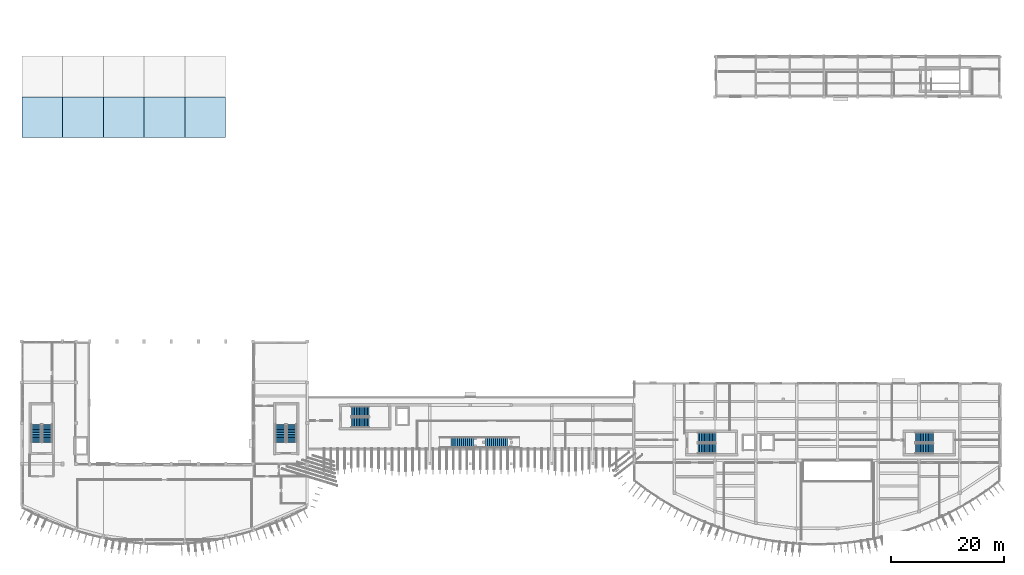
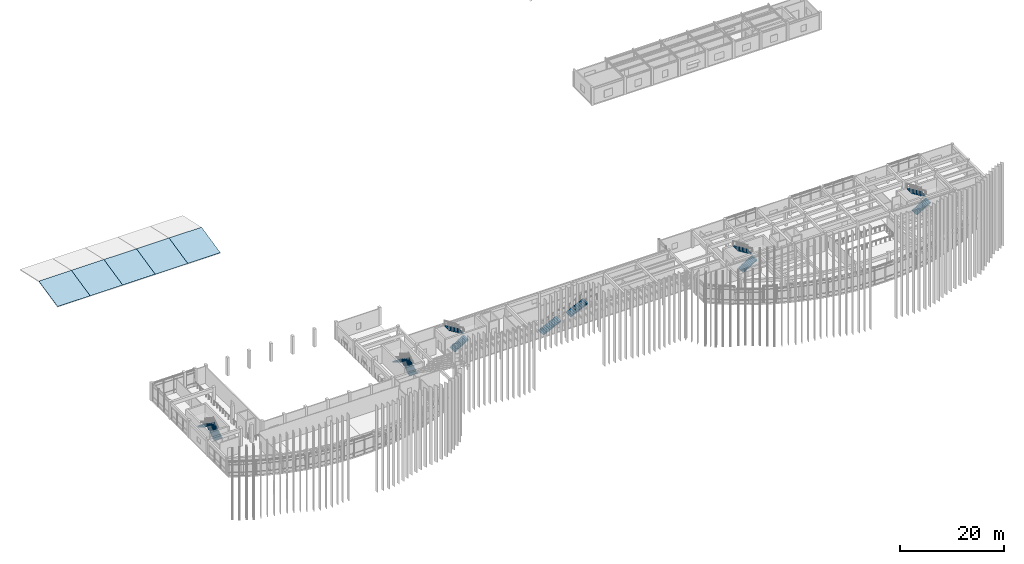
# One storey, part 35 of 47: 12 stair flights, 5 roofs, 6 elements without a shape of their own.
"""IFC4 building model written with IfcOpenShell, lengths in metres."""

import ifcopenshell
import ifcopenshell.guid

model = None  # the IFC model being written
_history = None  # IfcOwnerHistory: only IFC2X3 demands one
_inside = {}  # id of a spatial element -> (the spatial element, [elements in it])
_under = {}  # id of a project, library or spatial element -> (it, [spatial elements below it])
_declared = {}  # id of a project -> (the project, [libraries it declares])
_typed = {}  # id of a type object -> (the type object, [elements of that type])
_made_of = {}  # id of a material, layer set ... -> (it, [elements and type objects made of it])


def new_model(schema):
    """Start an empty IFC model of exactly this schema.

    Asked for "IFC4X3", IfcOpenShell would pick the latest addendum, in which some entities
    have other attributes; the version numbers below select the first issue.
    IFC2X3 requires an IfcOwnerHistory on every rooted entity: one is made here for all.
    """
    global model, _history
    if schema == "IFC4X3":
        model = ifcopenshell.file(schema_version=(4, 3, 0, 0))
    else:
        model = ifcopenshell.file(schema=schema)
    _inside.clear()
    _under.clear()
    _declared.clear()
    _typed.clear()
    _made_of.clear()
    _history = None
    if model.schema == "IFC2X3":
        org = make("IfcOrganization", Name="unknown")
        user = make(
            "IfcPersonAndOrganization",
            ThePerson=make("IfcPerson", FamilyName="unknown"),
            TheOrganization=org,
        )
        app = make(
            "IfcApplication",
            ApplicationDeveloper=org,
            Version="unknown",
            ApplicationFullName="unknown",
            ApplicationIdentifier="unknown",
        )
        _history = make(
            "IfcOwnerHistory",
            OwningUser=user,
            OwningApplication=app,
            ChangeAction="ADDED",
            CreationDate=0,
        )
    return model


def make(cls, **values):
    """One entity of the class cls with the attributes given. An attribute that is None is left unset."""
    return model.create_entity(
        cls, **{name: value for name, value in values.items() if value is not None}
    )


def rooted(cls, **values):
    """An entity with a GlobalId (a new one), such as an element, a storey or a relation."""
    return make(cls, GlobalId=ifcopenshell.guid.new(), OwnerHistory=_history, **values)


def si_unit(unit_type, name, prefix=None):
    """IfcSIUnit, for example si_unit("LENGTHUNIT", "METRE", prefix="MILLI")."""
    return make("IfcSIUnit", UnitType=unit_type, Prefix=prefix, Name=name)


def assignment(units):
    """IfcUnitAssignment: the units of a project."""
    return None if units is None else make("IfcUnitAssignment", Units=units)


def point(xyz):
    """IfcCartesianPoint."""
    return None if xyz is None else make("IfcCartesianPoint", Coordinates=xyz)


def direction(xyz):
    """IfcDirection."""
    return None if xyz is None else make("IfcDirection", DirectionRatios=xyz)


def frame(location, z_axis=None, x_axis=None):
    """IfcAxis2Placement3D, a coordinate frame: its origin and axes. An axis left out is left unset."""
    return make(
        "IfcAxis2Placement3D",
        Location=point(location),
        Axis=direction(z_axis),
        RefDirection=direction(x_axis),
    )


def origin():
    """The frame at (0, 0, 0) with its axes left unset."""
    return frame((0.0, 0.0, 0.0))


def place(relative_to, where):
    """IfcLocalPlacement: puts the frame where relative to a parent placement (None: the world)."""
    return make(
        "IfcLocalPlacement", PlacementRelTo=relative_to, RelativePlacement=where
    )


def context(
    kind, dimensions, precision=None, world=None, true_north=None, identifier=None
):
    """IfcGeometricRepresentationContext, for example the 3D "Model" context."""
    return make(
        "IfcGeometricRepresentationContext",
        ContextIdentifier=identifier,
        ContextType=kind,
        CoordinateSpaceDimension=dimensions,
        Precision=precision,
        WorldCoordinateSystem=world,
        TrueNorth=true_north,
    )


def subcontext(parent, identifier, kind, view, scale=None):
    """IfcGeometricRepresentationSubContext, for example "Body" below "Model"."""
    return make(
        "IfcGeometricRepresentationSubContext",
        ContextIdentifier=identifier,
        ContextType=kind,
        ParentContext=parent,
        TargetScale=scale,
        TargetView=view,
    )


def project(units=None, contexts=None):
    """IfcProject with its units and contexts."""
    return rooted(
        "IfcProject",
        Name="project",
        RepresentationContexts=contexts,
        UnitsInContext=assignment(units),
    )


def spatial(cls, under=None, at=None, **own):
    """A site, building, storey or space (cls), placed at a placement, below another one or the project."""
    s = rooted(cls, ObjectPlacement=at, **own)
    if under is not None:
        _under.setdefault(under.id(), (under, []))[1].append(s)
    return s


def polyline(points):
    """IfcPolyline through the points."""
    return make("IfcPolyline", Points=[point(p) for p in points])


def outline(outer, holes=None, kind="AREA"):
    """IfcArbitraryClosedProfileDef: a profile drawn as a closed curve; with holes, ...WithVoids."""
    if holes is None:
        return make("IfcArbitraryClosedProfileDef", ProfileType=kind, OuterCurve=outer)
    return make(
        "IfcArbitraryProfileDefWithVoids",
        ProfileType=kind,
        OuterCurve=outer,
        InnerCurves=holes,
    )


def extrude(swept, where, along, depth):
    """IfcExtrudedAreaSolid: the profile swept, set in the frame where, extruded along a direction by depth."""
    return make(
        "IfcExtrudedAreaSolid",
        SweptArea=swept,
        Position=where,
        ExtrudedDirection=direction(along),
        Depth=depth,
    )


def shape(context_of_items, identifier, shape_type, items):
    """IfcShapeRepresentation: the items that make up one representation, for example the "Body"."""
    return make(
        "IfcShapeRepresentation",
        ContextOfItems=context_of_items,
        RepresentationIdentifier=identifier,
        RepresentationType=shape_type,
        Items=items,
    )


def material(Name=None, Category=None):
    """IfcMaterial."""
    return make("IfcMaterial", Name=Name, Category=Category)


def layer(
    of_material, thickness, ventilated=None, Name=None, Category=None, Priority=None
):
    """IfcMaterialLayer: one layer of a wall or slab, of a material (None: an air gap)."""
    return make(
        "IfcMaterialLayer",
        Material=of_material,
        LayerThickness=thickness,
        IsVentilated=ventilated,
        Name=Name,
        Category=Category,
        Priority=Priority,
    )


def layer_set(layers, Name=None):
    """IfcMaterialLayerSet."""
    return make("IfcMaterialLayerSet", MaterialLayers=layers, LayerSetName=Name)


def made_of(thing, what):
    """Note that an element or type object is made of a material, layer set ...; save() writes the relation."""
    if what is not None:
        _made_of.setdefault(what.id(), (what, []))[1].append(thing)
    return thing


def type_object(cls, material=None, **own):
    """A type object (cls), such as IfcWallType, which elements share."""
    return made_of(rooted(cls, **own), material)


def element(
    cls,
    number,
    at=None,
    inside=None,
    cuts=None,
    type_object=None,
    material=None,
    context=None,
    identifier="Body",
    shape_type=None,
    held_by="IfcProductDefinitionShape",
    body=None,
    shapes=None,
    **own,
):
    """One element of the class cls, such as IfcWall. Its Tag is "e" and its number.

    at: its placement. inside: the storey or other place that contains it. cuts: it is an
    opening in that element (IfcRelVoidsElement). A single representation is given by context,
    identifier, shape_type and body (its items); several are given by shapes. held_by: the class
    of the entity that holds the representations. save() writes the other relations.
    """
    e = rooted(cls, Tag="e%d" % number, ObjectPlacement=at, **own)
    if body is not None:
        shapes = [shape(context, identifier, shape_type, body)]
    if shapes is not None:
        e.Representation = make(held_by, Representations=shapes)
    if inside is not None:
        _inside.setdefault(inside.id(), (inside, []))[1].append(e)
    if cuts is not None:
        rooted(
            "IfcRelVoidsElement", RelatingBuildingElement=cuts, RelatedOpeningElement=e
        )
    if type_object is not None:
        _typed.setdefault(type_object.id(), (type_object, []))[1].append(e)
    return made_of(e, material)


def aggregate(whole, parts):
    """IfcRelAggregates: a whole, such as a stair, and the parts it consists of."""
    return rooted("IfcRelAggregates", RelatingObject=whole, RelatedObjects=parts)


def save(model, path):
    """Write the relations noted so far, then the file.

    IfcRelAggregates (storeys below a building ...), IfcRelContainedInSpatialStructure (elements
    in a storey), IfcRelDefinesByType, IfcRelAssociatesMaterial and IfcRelDeclares: one each for
    every whole, place, type object, material and project.
    """
    for whole, parts in _under.values():
        aggregate(whole, parts)
    for where, things in _inside.values():
        rooted(
            "IfcRelContainedInSpatialStructure",
            RelatedElements=things,
            RelatingStructure=where,
        )
    for kind, things in _typed.values():
        rooted("IfcRelDefinesByType", RelatedObjects=things, RelatingType=kind)
    for what, things in _made_of.values():
        rooted("IfcRelAssociatesMaterial", RelatedObjects=things, RelatingMaterial=what)
    for by, libraries in _declared.values():
        rooted("IfcRelDeclares", RelatingContext=by, RelatedDefinitions=libraries)
    model.write(path)


model = new_model("IFC4")

# Units and contexts
model_context = context("Model", 3, precision=1e-05, world=origin(), true_north=direction((0.0, 1.0)))
body_context = subcontext(model_context, "Body", "Model", "MODEL_VIEW")
ifc_project = project(units=[si_unit("LENGTHUNIT", "METRE"), si_unit("AREAUNIT", "SQUARE_METRE"), si_unit("VOLUMEUNIT", "CUBIC_METRE"), si_unit("PLANEANGLEUNIT", "RADIAN"), si_unit("MASSUNIT", "GRAM", prefix="KILO")], contexts=[model_context])

# Site, building, storey
site_placement = place(None, origin())
site = spatial("IfcSite", under=ifc_project, at=site_placement, CompositionType="ELEMENT")
building_placement = place(site_placement, origin())
building = spatial("IfcBuilding", under=site, at=building_placement, Name="Brisavento Harbour Community Centre", CompositionType="ELEMENT")
storey_placement = place(building_placement, frame((0.0, 0.0, 8.699951171875)))
storey = spatial("IfcBuildingStorey", under=building, at=storey_placement, Name="L02", CompositionType="ELEMENT", Elevation=8.699951171875)

# Stair, stair flights
ifc_material_1 = material(Name="Concrete C35/45", Category="concrete")
stair_type_1 = type_object("IfcStairType", Name="STR-DL-4200", PredefinedType="HALF_TURN_STAIR", material=ifc_material_1)
stair_1_placement = place(storey_placement, origin())
stair_1 = element("IfcStair", 1, at=stair_1_placement, inside=storey, type_object=stair_type_1, Name="L02 ST-01", PredefinedType="HALF_TURN_STAIR")
stair_flight_type_1 = type_object("IfcStairFlightType", Name="FLT-DL-4200", PredefinedType="STRAIGHT", material=ifc_material_1)
stair_flight_1_placement = place(storey_placement, frame((4.5, 18.199951171875, 0.0), z_axis=(0.0, 0.0, 1.0), x_axis=(0.0, 1.0, 0.0)))
stair_flight_1 = element("IfcStairFlight", 2, at=stair_flight_1_placement, type_object=stair_flight_type_1, Name="ST-01 flight 1", NumberOfRisers=12, NumberOfTreads=11, PredefinedType="STRAIGHT", RiserHeight=0.175, TreadLength=0.285, context=body_context, shape_type="SweptSolid", body=[
    extrude(outline(polyline([(0.0, 0.0), (0.0, 0.175048828125), (0.284912109375, 0.175048828125), (0.284912109375, 0.35009765625), (0.570068359375, 0.35009765625), (0.570068359375, 0.52490234375), (0.85498046875, 0.52490234375), (0.85498046875, 0.699951171875), (1.139892578125, 0.699951171875), (1.139892578125, 0.875), (1.425048828125, 0.875), (1.425048828125, 1.050048828125), (1.7099609375, 1.050048828125), (1.7099609375, 1.22509765625), (1.9951171875, 1.22509765625), (1.9951171875, 1.39990234375), (2.280029296875, 1.39990234375), (2.280029296875, 1.574951171875), (2.56494140625, 1.574951171875), (2.56494140625, 1.75), (2.85009765625, 1.75), (2.85009765625, 1.925048828125), (3.135009765625, 1.925048828125), (3.135009765625, 2.10009765625), (3.135009765625, 1.7490234375), (0.286376953125, 0.0), (0.0, 0.0)])), frame((0.0, 0.89990234375, 0.0), z_axis=(0.0, -1.0, 0.0), x_axis=(1.0, 0.0, 0.0)), (0.0, 0.0, 1.0), 1.800048828125),
])
stair_flight_2_placement = place(storey_placement, frame((2.550048828125, 21.3349609375, 2.10009765625), z_axis=(0.0, 0.0, 1.0), x_axis=(0.0, -1.0, 0.0)))
stair_flight_2 = element("IfcStairFlight", 3, at=stair_flight_2_placement, type_object=stair_flight_type_1, Name="ST-01 flight 2", NumberOfRisers=12, NumberOfTreads=11, PredefinedType="STRAIGHT", RiserHeight=0.175, TreadLength=0.285, context=body_context, shape_type="SweptSolid", body=[
    extrude(outline(polyline([(0.0, 0.0), (0.0, 0.175048828125), (0.284912109375, 0.175048828125), (0.284912109375, 0.35009765625), (0.570068359375, 0.35009765625), (0.570068359375, 0.52490234375), (0.85498046875, 0.52490234375), (0.85498046875, 0.699951171875), (1.139892578125, 0.699951171875), (1.139892578125, 0.875), (1.425048828125, 0.875), (1.425048828125, 1.050048828125), (1.7099609375, 1.050048828125), (1.7099609375, 1.22509765625), (1.9951171875, 1.22509765625), (1.9951171875, 1.39990234375), (2.280029296875, 1.39990234375), (2.280029296875, 1.574951171875), (2.56494140625, 1.574951171875), (2.56494140625, 1.75), (2.85009765625, 1.75), (2.85009765625, 1.925048828125), (3.135009765625, 1.925048828125), (3.135009765625, 2.10009765625), (3.135009765625, 1.7490234375), (0.286376953125, 0.0), (0.0, 0.0)])), frame((0.0, 0.89990234375, 0.0), z_axis=(0.0, -1.0, 0.0), x_axis=(1.0, 0.0, 0.0)), (0.0, 0.0, 1.0), 1.800048828125),
])
aggregate(stair_1, [stair_flight_1, stair_flight_2])

stair_2_placement = place(storey_placement, origin())
stair_2 = element("IfcStair", 4, at=stair_2_placement, inside=storey, type_object=stair_type_1, Name="L02 ST-02", PredefinedType="HALF_TURN_STAIR")
stair_flight_3_placement = place(storey_placement, frame((47.64990234375, 18.199951171875, 0.0), z_axis=(0.0, 0.0, 1.0), x_axis=(0.0, 1.0, 0.0)))
stair_flight_3 = element("IfcStairFlight", 5, at=stair_flight_3_placement, type_object=stair_flight_type_1, Name="ST-02 flight 1", NumberOfRisers=12, NumberOfTreads=11, PredefinedType="STRAIGHT", RiserHeight=0.175, TreadLength=0.285, context=body_context, shape_type="SweptSolid", body=[
    extrude(outline(polyline([(0.0, 0.0), (0.0, 0.175048828125), (0.284912109375, 0.175048828125), (0.284912109375, 0.35009765625), (0.570068359375, 0.35009765625), (0.570068359375, 0.52490234375), (0.85498046875, 0.52490234375), (0.85498046875, 0.699951171875), (1.139892578125, 0.699951171875), (1.139892578125, 0.875), (1.425048828125, 0.875), (1.425048828125, 1.050048828125), (1.7099609375, 1.050048828125), (1.7099609375, 1.22509765625), (1.9951171875, 1.22509765625), (1.9951171875, 1.39990234375), (2.280029296875, 1.39990234375), (2.280029296875, 1.574951171875), (2.56494140625, 1.574951171875), (2.56494140625, 1.75), (2.85009765625, 1.75), (2.85009765625, 1.925048828125), (3.135009765625, 1.925048828125), (3.135009765625, 2.10009765625), (3.135009765625, 1.7490234375), (0.286376953125, 0.0), (0.0, 0.0)])), frame((0.0, 0.89990234375, 0.0), z_axis=(0.0, -1.0, 0.0), x_axis=(1.0, 0.0, 0.0)), (0.0, 0.0, 1.0), 1.800048828125),
])
stair_flight_4_placement = place(storey_placement, frame((45.699951171875, 21.3349609375, 2.10009765625), z_axis=(0.0, 0.0, 1.0), x_axis=(0.0, -1.0, 0.0)))
stair_flight_4 = element("IfcStairFlight", 6, at=stair_flight_4_placement, type_object=stair_flight_type_1, Name="ST-02 flight 2", NumberOfRisers=12, NumberOfTreads=11, PredefinedType="STRAIGHT", RiserHeight=0.175, TreadLength=0.285, context=body_context, shape_type="SweptSolid", body=[
    extrude(outline(polyline([(0.0, 0.0), (0.0, 0.175048828125), (0.284912109375, 0.175048828125), (0.284912109375, 0.35009765625), (0.570068359375, 0.35009765625), (0.570068359375, 0.52490234375), (0.85498046875, 0.52490234375), (0.85498046875, 0.699951171875), (1.139892578125, 0.699951171875), (1.139892578125, 0.875), (1.425048828125, 0.875), (1.425048828125, 1.050048828125), (1.7099609375, 1.050048828125), (1.7099609375, 1.22509765625), (1.9951171875, 1.22509765625), (1.9951171875, 1.39990234375), (2.280029296875, 1.39990234375), (2.280029296875, 1.574951171875), (2.56494140625, 1.574951171875), (2.56494140625, 1.75), (2.85009765625, 1.75), (2.85009765625, 1.925048828125), (3.135009765625, 1.925048828125), (3.135009765625, 2.10009765625), (3.135009765625, 1.7490234375), (0.286376953125, 0.0), (0.0, 0.0)])), frame((0.0, 0.89990234375, 0.0), z_axis=(0.0, -1.0, 0.0), x_axis=(1.0, 0.0, 0.0)), (0.0, 0.0, 1.0), 1.800048828125),
])
aggregate(stair_2, [stair_flight_3, stair_flight_4])

stair_3_placement = place(storey_placement, origin())
stair_3 = element("IfcStair", 7, at=stair_3_placement, inside=storey, type_object=stair_type_1, Name="L02 ST-03", PredefinedType="HALF_TURN_STAIR")
stair_flight_5_placement = place(storey_placement, frame((58.199951171875, 21.699951171875, 0.0), z_axis=(0.0, 0.0, 1.0), x_axis=(1.0, 0.0, 0.0)))
stair_flight_5 = element("IfcStairFlight", 8, at=stair_flight_5_placement, type_object=stair_flight_type_1, Name="ST-03 flight 1", NumberOfRisers=12, NumberOfTreads=11, PredefinedType="STRAIGHT", RiserHeight=0.175, TreadLength=0.285, context=body_context, shape_type="SweptSolid", body=[
    extrude(outline(polyline([(0.0, 0.0), (0.0, 0.175048828125), (0.284912109375, 0.175048828125), (0.284912109375, 0.35009765625), (0.570068359375, 0.35009765625), (0.570068359375, 0.52490234375), (0.85498046875, 0.52490234375), (0.85498046875, 0.699951171875), (1.139892578125, 0.699951171875), (1.139892578125, 0.875), (1.425048828125, 0.875), (1.425048828125, 1.050048828125), (1.7099609375, 1.050048828125), (1.7099609375, 1.22509765625), (1.9951171875, 1.22509765625), (1.9951171875, 1.39990234375), (2.280029296875, 1.39990234375), (2.280029296875, 1.574951171875), (2.56494140625, 1.574951171875), (2.56494140625, 1.75), (2.85009765625, 1.75), (2.85009765625, 1.925048828125), (3.135009765625, 1.925048828125), (3.135009765625, 2.10009765625), (3.135009765625, 1.7490234375), (0.286376953125, 0.0), (0.0, 0.0)])), frame((0.0, 0.89990234375, 0.0), z_axis=(0.0, -1.0, 0.0), x_axis=(1.0, 0.0, 0.0)), (0.0, 0.0, 1.0), 1.800048828125),
])
stair_flight_6_placement = place(storey_placement, frame((61.3349609375, 23.64990234375, 2.10009765625), z_axis=(0.0, 0.0, 1.0), x_axis=(-1.0, 0.0, 0.0)))
stair_flight_6 = element("IfcStairFlight", 9, at=stair_flight_6_placement, type_object=stair_flight_type_1, Name="ST-03 flight 2", NumberOfRisers=12, NumberOfTreads=11, PredefinedType="STRAIGHT", RiserHeight=0.175, TreadLength=0.285, context=body_context, shape_type="SweptSolid", body=[
    extrude(outline(polyline([(0.0, 0.0), (0.0, 0.175048828125), (0.284912109375, 0.175048828125), (0.284912109375, 0.35009765625), (0.570068359375, 0.35009765625), (0.570068359375, 0.52490234375), (0.85498046875, 0.52490234375), (0.85498046875, 0.699951171875), (1.139892578125, 0.699951171875), (1.139892578125, 0.875), (1.425048828125, 0.875), (1.425048828125, 1.050048828125), (1.7099609375, 1.050048828125), (1.7099609375, 1.22509765625), (1.9951171875, 1.22509765625), (1.9951171875, 1.39990234375), (2.280029296875, 1.39990234375), (2.280029296875, 1.574951171875), (2.56494140625, 1.574951171875), (2.56494140625, 1.75), (2.85009765625, 1.75), (2.85009765625, 1.925048828125), (3.135009765625, 1.925048828125), (3.135009765625, 2.10009765625), (3.135009765625, 1.7490234375), (0.286376953125, 0.0), (0.0, 0.0)])), frame((0.0, 0.89990234375, 0.0), z_axis=(0.0, -1.0, 0.0), x_axis=(1.0, 0.0, 0.0)), (0.0, 0.0, 1.0), 1.800048828125),
])
aggregate(stair_3, [stair_flight_5, stair_flight_6])

stair_4_placement = place(storey_placement, origin())
stair_4 = element("IfcStair", 10, at=stair_4_placement, inside=storey, type_object=stair_type_1, Name="L02 ST-04", PredefinedType="HALF_TURN_STAIR")
stair_flight_7_placement = place(storey_placement, frame((119.39990234375, 17.10009765625, 0.0), z_axis=(0.0, 0.0, 1.0), x_axis=(1.0, 0.0, 0.0)))
stair_flight_7 = element("IfcStairFlight", 11, at=stair_flight_7_placement, type_object=stair_flight_type_1, Name="ST-04 flight 1", NumberOfRisers=12, NumberOfTreads=11, PredefinedType="STRAIGHT", RiserHeight=0.175, TreadLength=0.285, context=body_context, shape_type="SweptSolid", body=[
    extrude(outline(polyline([(0.0, 0.0), (0.0, 0.175048828125), (0.284912109375, 0.175048828125), (0.284912109375, 0.35009765625), (0.570068359375, 0.35009765625), (0.570068359375, 0.52490234375), (0.85498046875, 0.52490234375), (0.85498046875, 0.699951171875), (1.139892578125, 0.699951171875), (1.139892578125, 0.875), (1.425048828125, 0.875), (1.425048828125, 1.050048828125), (1.7099609375, 1.050048828125), (1.7099609375, 1.22509765625), (1.9951171875, 1.22509765625), (1.9951171875, 1.39990234375), (2.280029296875, 1.39990234375), (2.280029296875, 1.574951171875), (2.56494140625, 1.574951171875), (2.56494140625, 1.75), (2.85009765625, 1.75), (2.85009765625, 1.925048828125), (3.135009765625, 1.925048828125), (3.135009765625, 2.10009765625), (3.135009765625, 1.7490234375), (0.286376953125, 0.0), (0.0, 0.0)])), frame((0.0, 0.89990234375, 0.0), z_axis=(0.0, -1.0, 0.0), x_axis=(1.0, 0.0, 0.0)), (0.0, 0.0, 1.0), 1.800048828125),
])
stair_flight_8_placement = place(storey_placement, frame((122.534912109375, 19.050048828125, 2.10009765625), z_axis=(0.0, 0.0, 1.0), x_axis=(-1.0, 0.0, 0.0)))
stair_flight_8 = element("IfcStairFlight", 12, at=stair_flight_8_placement, type_object=stair_flight_type_1, Name="ST-04 flight 2", NumberOfRisers=12, NumberOfTreads=11, PredefinedType="STRAIGHT", RiserHeight=0.175, TreadLength=0.285, context=body_context, shape_type="SweptSolid", body=[
    extrude(outline(polyline([(0.0, 0.0), (0.0, 0.175048828125), (0.284912109375, 0.175048828125), (0.284912109375, 0.35009765625), (0.570068359375, 0.35009765625), (0.570068359375, 0.52490234375), (0.85498046875, 0.52490234375), (0.85498046875, 0.699951171875), (1.139892578125, 0.699951171875), (1.139892578125, 0.875), (1.425048828125, 0.875), (1.425048828125, 1.050048828125), (1.7099609375, 1.050048828125), (1.7099609375, 1.22509765625), (1.9951171875, 1.22509765625), (1.9951171875, 1.39990234375), (2.280029296875, 1.39990234375), (2.280029296875, 1.574951171875), (2.56494140625, 1.574951171875), (2.56494140625, 1.75), (2.85009765625, 1.75), (2.85009765625, 1.925048828125), (3.135009765625, 1.925048828125), (3.135009765625, 2.10009765625), (3.135009765625, 1.7490234375), (0.286376953125, 0.0), (0.0, 0.0)])), frame((0.0, 0.89990234375, 0.0), z_axis=(0.0, -1.0, 0.0), x_axis=(1.0, 0.0, 0.0)), (0.0, 0.0, 1.0), 1.800048828125),
])
aggregate(stair_4, [stair_flight_7, stair_flight_8])

stair_5_placement = place(storey_placement, origin())
stair_5 = element("IfcStair", 13, at=stair_5_placement, inside=storey, type_object=stair_type_1, Name="L02 ST-05", PredefinedType="HALF_TURN_STAIR")
stair_flight_9_placement = place(storey_placement, frame((157.800048828125, 17.10009765625, 0.0), z_axis=(0.0, 0.0, 1.0), x_axis=(1.0, 0.0, 0.0)))
stair_flight_9 = element("IfcStairFlight", 14, at=stair_flight_9_placement, type_object=stair_flight_type_1, Name="ST-05 flight 1", NumberOfRisers=12, NumberOfTreads=11, PredefinedType="STRAIGHT", RiserHeight=0.175, TreadLength=0.285, context=body_context, shape_type="SweptSolid", body=[
    extrude(outline(polyline([(0.0, 0.0), (0.0, 0.175048828125), (0.284912109375, 0.175048828125), (0.284912109375, 0.35009765625), (0.570068359375, 0.35009765625), (0.570068359375, 0.52490234375), (0.85498046875, 0.52490234375), (0.85498046875, 0.699951171875), (1.139892578125, 0.699951171875), (1.139892578125, 0.875), (1.425048828125, 0.875), (1.425048828125, 1.050048828125), (1.7099609375, 1.050048828125), (1.7099609375, 1.22509765625), (1.9951171875, 1.22509765625), (1.9951171875, 1.39990234375), (2.280029296875, 1.39990234375), (2.280029296875, 1.574951171875), (2.56494140625, 1.574951171875), (2.56494140625, 1.75), (2.85009765625, 1.75), (2.85009765625, 1.925048828125), (3.135009765625, 1.925048828125), (3.135009765625, 2.10009765625), (3.135009765625, 1.7490234375), (0.286376953125, 0.0), (0.0, 0.0)])), frame((0.0, 0.89990234375, 0.0), z_axis=(0.0, -1.0, 0.0), x_axis=(1.0, 0.0, 0.0)), (0.0, 0.0, 1.0), 1.800048828125),
])
stair_flight_10_placement = place(storey_placement, frame((160.93505859375, 19.050048828125, 2.10009765625), z_axis=(0.0, 0.0, 1.0), x_axis=(-1.0, 0.0, 0.0)))
stair_flight_10 = element("IfcStairFlight", 15, at=stair_flight_10_placement, type_object=stair_flight_type_1, Name="ST-05 flight 2", NumberOfRisers=12, NumberOfTreads=11, PredefinedType="STRAIGHT", RiserHeight=0.175, TreadLength=0.285, context=body_context, shape_type="SweptSolid", body=[
    extrude(outline(polyline([(0.0, 0.0), (0.0, 0.175048828125), (0.284912109375, 0.175048828125), (0.284912109375, 0.35009765625), (0.570068359375, 0.35009765625), (0.570068359375, 0.52490234375), (0.85498046875, 0.52490234375), (0.85498046875, 0.699951171875), (1.139892578125, 0.699951171875), (1.139892578125, 0.875), (1.425048828125, 0.875), (1.425048828125, 1.050048828125), (1.7099609375, 1.050048828125), (1.7099609375, 1.22509765625), (1.9951171875, 1.22509765625), (1.9951171875, 1.39990234375), (2.280029296875, 1.39990234375), (2.280029296875, 1.574951171875), (2.56494140625, 1.574951171875), (2.56494140625, 1.75), (2.85009765625, 1.75), (2.85009765625, 1.925048828125), (3.135009765625, 1.925048828125), (3.135009765625, 2.10009765625), (3.135009765625, 1.7490234375), (0.286376953125, 0.0), (0.0, 0.0)])), frame((0.0, 0.89990234375, 0.0), z_axis=(0.0, -1.0, 0.0), x_axis=(1.0, 0.0, 0.0)), (0.0, 0.0, 1.0), 1.800048828125),
])
aggregate(stair_5, [stair_flight_9, stair_flight_10])

ifc_material_2 = material(Name="Precast concrete C40/50", Category="concrete")
stair_type_2 = type_object("IfcStairType", Name="STR-MON-2", PredefinedType="STRAIGHT_RUN_STAIR", material=ifc_material_2)
stair_6_placement = place(storey_placement, origin())
stair_6 = element("IfcStair", 16, at=stair_6_placement, inside=storey, type_object=stair_type_2, Name="L02 monumental courtyard stair MST-08", PredefinedType="STRAIGHT_RUN_STAIR")
stair_flight_type_2 = type_object("IfcStairFlightType", Name="FLT-MON-2", PredefinedType="STRAIGHT", material=ifc_material_2)
stair_flight_11_placement = place(storey_placement, frame((75.800048828125, 18.199951171875, 0.0), z_axis=(0.0, 0.0, 1.0), x_axis=(1.0, 0.0, 0.0)))
stair_flight_11 = element("IfcStairFlight", 17, at=stair_flight_11_placement, type_object=stair_flight_type_2, Name="MST-08 flight 1", NumberOfRisers=12, NumberOfTreads=11, PredefinedType="STRAIGHT", RiserHeight=0.175, TreadLength=0.36, context=body_context, shape_type="SweptSolid", body=[
    extrude(outline(polyline([(0.0, 0.0), (0.0, 0.175048828125), (0.360107421875, 0.175048828125), (0.360107421875, 0.35009765625), (0.719970703125, 0.35009765625), (0.719970703125, 0.52490234375), (1.080078125, 0.52490234375), (1.080078125, 0.699951171875), (1.43994140625, 0.699951171875), (1.43994140625, 0.875), (1.800048828125, 0.875), (1.800048828125, 1.050048828125), (2.159912109375, 1.050048828125), (2.159912109375, 1.22509765625), (2.52001953125, 1.22509765625), (2.52001953125, 1.39990234375), (2.8798828125, 1.39990234375), (2.8798828125, 1.574951171875), (3.239990234375, 1.574951171875), (3.239990234375, 1.75), (3.60009765625, 1.75), (3.60009765625, 1.925048828125), (3.9599609375, 1.925048828125), (3.9599609375, 2.10009765625), (3.9599609375, 1.724853515625), (0.41162109375, 0.0), (0.0, 0.0)])), frame((0.0, 0.91015625, 0.0), z_axis=(0.0, -1.0, 0.0), x_axis=(1.0, 0.0, 0.0)), (0.0, 0.0, 1.0), 1.820068359375),
])
stair_flight_12_placement = place(storey_placement, frame((81.830078125, 18.199951171875, 2.10009765625), z_axis=(0.0, 0.0, 1.0), x_axis=(1.0, 0.0, 0.0)))
stair_flight_12 = element("IfcStairFlight", 18, at=stair_flight_12_placement, type_object=stair_flight_type_2, Name="MST-08 flight 2", NumberOfRisers=12, NumberOfTreads=11, PredefinedType="STRAIGHT", RiserHeight=0.175, TreadLength=0.36, context=body_context, shape_type="SweptSolid", body=[
    extrude(outline(polyline([(0.0, 0.0), (0.0, 0.175048828125), (0.360107421875, 0.175048828125), (0.360107421875, 0.35009765625), (0.719970703125, 0.35009765625), (0.719970703125, 0.52490234375), (1.080078125, 0.52490234375), (1.080078125, 0.699951171875), (1.43994140625, 0.699951171875), (1.43994140625, 0.875), (1.800048828125, 0.875), (1.800048828125, 1.050048828125), (2.159912109375, 1.050048828125), (2.159912109375, 1.22509765625), (2.52001953125, 1.22509765625), (2.52001953125, 1.39990234375), (2.8798828125, 1.39990234375), (2.8798828125, 1.574951171875), (3.239990234375, 1.574951171875), (3.239990234375, 1.75), (3.60009765625, 1.75), (3.60009765625, 1.925048828125), (3.9599609375, 1.925048828125), (3.9599609375, 2.10009765625), (3.9599609375, 1.724853515625), (0.41162109375, 0.0), (0.0, 0.0)])), frame((0.0, 0.91015625, 0.0), z_axis=(0.0, -1.0, 0.0), x_axis=(1.0, 0.0, 0.0)), (0.0, 0.0, 1.0), 1.820068359375),
])
aggregate(stair_6, [stair_flight_11, stair_flight_12])

# Roofs
ifc_layer = layer(ifc_material_1, 0.199951171875, Name="Concrete C35/45")
ifc_layer_set = layer_set([ifc_layer], Name="Concrete C35/45")
roof_type = type_object("IfcRoofType", Name="ROOF-PAV", PredefinedType="PAVILION_ROOF", material=ifc_layer_set)
for number, where, z_axis, x_axis, name in (
    (19, (0.0, 72.0, 0.02001953125), (0.0, -0.216944477077, 0.976183944688), (1.0, 0.0, 0.0), "Dining Pavilion roof 1"),
    (20, (7.199951171875, 72.0, 0.02001953125), (0.0, -0.216944477077, 0.976183944688), (1.0, 0.0, 0.0), "Dining Pavilion roof 2"),
):
    element("IfcRoof", number, at=place(storey_placement, frame(where, z_axis=z_axis, x_axis=x_axis)), inside=storey, type_object=roof_type, Name=name, PredefinedType="PAVILION_ROOF", context=body_context, shape_type="SweptSolid", body=[
        extrude(outline(polyline([(0.0, 0.0), (7.199951171875, 0.0), (7.199951171875, 7.3756090858261265), (0.0, 7.3756090858261265), (0.0, 0.0)])), origin(), (0.0, 0.0, -1.0), 0.050048828125),
    ])
roof_placement = place(storey_placement, frame((14.39990234375, 72.0, 0.02001953125), z_axis=(0.0, -0.216944477077, 0.976183944688), x_axis=(1.0, 0.0, 0.0)))
element("IfcRoof", 21, at=roof_placement, inside=storey, type_object=roof_type, Name="Dining Pavilion roof 3", PredefinedType="PAVILION_ROOF", context=body_context, shape_type="SweptSolid", body=[
    extrude(outline(polyline([(0.0, 0.0), (7.2001953125, 0.0), (7.2001953125, 7.375609085826127), (0.0, 7.375609085826127), (0.0, 0.0)])), origin(), (0.0, 0.0, -1.0), 0.050048828125),
])
for number, where, z_axis, x_axis, name in (
    (22, (21.60009765625, 72.0, 0.02001953125), (0.0, -0.216944477077, 0.976183944688), (1.0, 0.0, 0.0), "Dining Pavilion roof 4"),
    (23, (28.800048828125, 72.0, 0.02001953125), (0.0, -0.216944477077, 0.976183944688), (1.0, 0.0, 0.0), "Dining Pavilion roof 5"),
):
    element("IfcRoof", number, at=place(storey_placement, frame(where, z_axis=z_axis, x_axis=x_axis)), inside=storey, type_object=roof_type, Name=name, PredefinedType="PAVILION_ROOF", context=body_context, shape_type="SweptSolid", body=[
        extrude(outline(polyline([(0.0, 0.0), (7.199951171875, 0.0), (7.199951171875, 7.3756090858261265), (0.0, 7.3756090858261265), (0.0, 0.0)])), origin(), (0.0, 0.0, -1.0), 0.050048828125),
    ])

save(model, "model.ifc")
